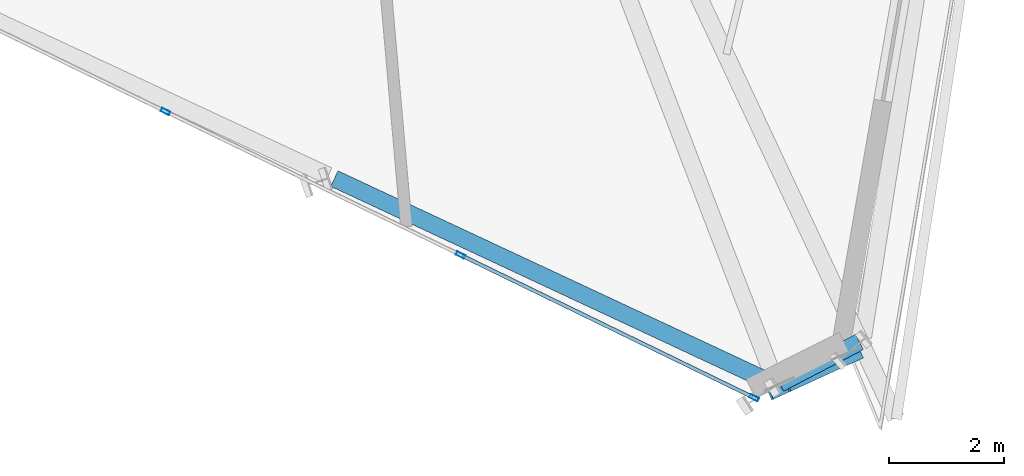
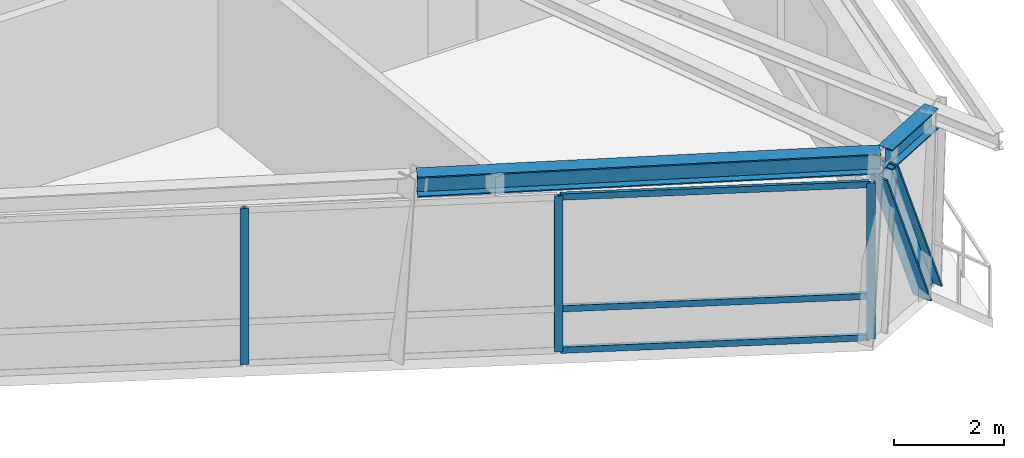
# One storey, part 4 of 22: 7 members, 2 beams, 1 element without a shape of its own.
"""IFC4 building model written with IfcOpenShell, lengths in metres."""

from ifc_helpers import new_model, si_unit, direction, frame, origin, origin_2d, place, context, subcontext, project, spatial, hollow_rectangle, i_section, extrude, source, transform, mapped, material, material_profile, profile_set, type_object, element, aggregate, save


model = new_model("IFC4")

# Units and contexts
model_context = context("Model", 3, precision=1e-05, world=origin(), true_north=direction((0.0, 1.0)))
body_context = subcontext(model_context, "Body", "Model", "MODEL_VIEW")
ifc_project = project(units=[si_unit("LENGTHUNIT", "METRE"), si_unit("AREAUNIT", "SQUARE_METRE"), si_unit("VOLUMEUNIT", "CUBIC_METRE"), si_unit("PLANEANGLEUNIT", "RADIAN"), si_unit("MASSUNIT", "GRAM", prefix="KILO")], contexts=[model_context])

# Site, building, storey
site_placement = place(None, origin())
site = spatial("IfcSite", under=ifc_project, at=site_placement, CompositionType="ELEMENT")
building_placement = place(site_placement, origin())
building = spatial("IfcBuilding", under=site, at=building_placement, Name="Olszyna Solenne Hotel", CompositionType="ELEMENT")
storey_placement = place(building_placement, frame((0.0, 0.0, 281.89990234375)))
storey = spatial("IfcBuildingStorey", under=building, at=storey_placement, Name="L75", CompositionType="ELEMENT", Elevation=281.89990234375)

# Beams
ifc_material_1 = material(Name="Steel S355J2", Category="steel")
ifc_material_profile_1 = material_profile(ifc_material_1, i_section(OverallWidth=0.300048828125, OverallDepth=0.449951171875, WebThickness=0.013916015625, FlangeThickness=0.02587890625, at=origin_2d()), Name="HEB 450", Category="load-bearing")
ifc_profile_set_1 = profile_set([ifc_material_profile_1], Name="Steel S355J2")
beam_type = type_object("IfcBeamType", Name="BM-S4", PredefinedType="BEAM", material=ifc_profile_set_1)
shared_shape_1 = source(origin(), body_context, "Body", "SweptSolid", [
    extrude(i_section(OverallWidth=0.300048828125, OverallDepth=0.449951171875, WebThickness=0.013916015625, FlangeThickness=0.02587890625, at=origin_2d()), origin(), (0.0, 0.0, 1.0), 8.45263671875),
])
beam_1_placement = place(storey_placement, frame((38.34033203125, 9.190185546875, 3.695068359375), z_axis=(0.906092358664, -0.423079942294, 0.0), x_axis=(0.423079942294, 0.906092358664, 0.0)))
element("IfcBeam", 1, at=beam_1_placement, inside=storey, type_object=beam_type, Name="Perimeter spandrel beam BM-S4 B-L75-2203", PredefinedType="BEAM", context=body_context, shape_type="MappedRepresentation", body=[
    mapped(shared_shape_1, transform((0.0, 0.0, 0.0), x_axis=(1.0, 0.0, 0.0), y_axis=(0.0, 1.0, 0.0), z_axis=(0.0, 0.0, 1.0), scale=1.0)),
])
shared_shape_2 = source(origin(), body_context, "Body", "SweptSolid", [
    extrude(i_section(OverallWidth=0.300048828125, OverallDepth=0.449951171875, WebThickness=0.013916015625, FlangeThickness=0.02587890625, at=origin_2d()), origin(), (0.0, 0.0, 1.0), 1.5673828125),
])
beam_2_placement = place(storey_placement, frame((46.10693359375, 5.6162109375, 3.695068359375), z_axis=(0.886953967322, 0.461857835109, 0.0), x_axis=(-0.461857835109, 0.886953967322, 0.0)))
element("IfcBeam", 2, at=beam_2_placement, inside=storey, type_object=beam_type, Name="Perimeter spandrel beam BM-S4 B-L75-2204", PredefinedType="BEAM", context=body_context, shape_type="MappedRepresentation", body=[
    mapped(shared_shape_2, transform((0.0, 0.0, 0.0), x_axis=(1.0, 0.0, 0.0), y_axis=(0.0, 1.0, 0.0), z_axis=(0.0, 0.0, 1.0), scale=1.0)),
])

# Member
ifc_material_2 = material(Name="Steel S460M", Category="steel")
ifc_material_profile_2 = material_profile(ifc_material_2, i_section(OverallWidth=0.40087890625, OverallDepth=0.39892578125, WebThickness=0.02197265625, FlangeThickness=0.034423828125, at=origin_2d()), Name="HD 400x314", Category="load-bearing")
ifc_profile_set_2 = profile_set([ifc_material_profile_2], Name="Steel S460M")
member_type_1 = type_object("IfcMemberType", Name="BR-T3", PredefinedType="BRACE", material=ifc_profile_set_2)
shared_shape_3 = source(origin(), body_context, "Body", "SweptSolid", [
    extrude(i_section(OverallWidth=0.40087890625, OverallDepth=0.39892578125, WebThickness=0.02197265625, FlangeThickness=0.034423828125, at=origin_2d()), origin(), (0.0, 0.0, 1.0), 3.736572265625),
])
member_1_placement = place(storey_placement, frame((47.316162109375, 6.167236328125, 0.010009765625), z_axis=(-0.337857099265, -0.154848448126, 0.928371982876), x_axis=(0.416648657074, -0.909067597354, 0.0)))
element("IfcMember", 3, at=member_1_placement, inside=storey, type_object=member_type_1, Name="Perimeter braced-tube diagonal BR-T3 BR-L75-3", PredefinedType="BRACE", context=body_context, shape_type="MappedRepresentation", body=[
    mapped(shared_shape_3, transform((0.0, 0.0, 0.0), x_axis=(1.0, 0.0, 0.0), y_axis=(0.0, 1.0, 0.0), z_axis=(0.0, 0.0, 1.0), scale=1.0)),
])

# Curtain wall, members
ifc_material_3 = material(Name="Anodised bronze aluminium", Category="aluminium")
curtain_wall_type = type_object("IfcCurtainWallType", Name="CW-SYS-7", PredefinedType="NOTDEFINED", material=ifc_material_3)
curtain_wall_placement = place(storey_placement, origin())
curtain_wall = element("IfcCurtainWall", 4, at=curtain_wall_placement, inside=storey, type_object=curtain_wall_type, Name="Unitised curtain wall CW-SYS-7 CW-L75-01", PredefinedType="NOTDEFINED")
ifc_material_profile_3 = material_profile(ifc_material_3, hollow_rectangle(XDim=0.06494140625, YDim=0.159912109375, WallThickness=0.00390625, at=origin_2d()), Name="MULL 160x65x4", Category="load-bearing")
ifc_profile_set_3 = profile_set([ifc_material_profile_3], Name="Anodised bronze aluminium")
member_type_2 = type_object("IfcMemberType", Name="CW-M3", PredefinedType="MULLION", material=ifc_profile_set_3)
shared_shape_4 = source(origin(), body_context, "Body", "SweptSolid", [
    extrude(hollow_rectangle(XDim=0.06494140625, YDim=0.159912109375, WallThickness=0.00390625, at=origin_2d()), origin(), (0.0, 0.0, 1.0), 3.462158203125),
])
member_2_placement = place(storey_placement, frame((35.395263671875, 10.35986328125, 0.0), z_axis=(0.0, 0.0, 1.0), x_axis=(0.437386807996, 0.899273473528, 0.0)))
member_2 = element("IfcMember", 5, at=member_2_placement, type_object=member_type_2, Name="Curtain-wall mullion CW-M3 CM-L75-01-02", PredefinedType="MULLION", context=body_context, shape_type="MappedRepresentation", body=[
    mapped(shared_shape_4, transform((0.0, 0.0, 0.0), x_axis=(1.0, 0.0, 0.0), y_axis=(0.0, 1.0, 0.0), z_axis=(0.0, 0.0, 1.0), scale=1.0)),
])
member_3_placement = place(storey_placement, frame((40.54248046875, 7.8564453125, 0.0), z_axis=(0.0, 0.0, 1.0), x_axis=(0.437386807996, 0.899273473528, 0.0)))
member_3 = element("IfcMember", 6, at=member_3_placement, type_object=member_type_2, Name="Curtain-wall mullion CW-M3 CM-L75-01-03", PredefinedType="MULLION", context=body_context, shape_type="MappedRepresentation", body=[
    mapped(shared_shape_4, transform((0.0, 0.0, 0.0), x_axis=(1.0, 0.0, 0.0), y_axis=(0.0, 1.0, 0.0), z_axis=(0.0, 0.0, 1.0), scale=1.0)),
])
member_4_placement = place(storey_placement, frame((45.66064453125, 5.3671875, 0.0), z_axis=(0.0, 0.0, 1.0), x_axis=(0.437386807996, 0.899273473528, 0.0)))
member_4 = element("IfcMember", 7, at=member_4_placement, type_object=member_type_2, Name="Curtain-wall mullion CW-M3 CM-L75-01-04", PredefinedType="MULLION", context=body_context, shape_type="MappedRepresentation", body=[
    mapped(shared_shape_4, transform((0.0, 0.0, 0.0), x_axis=(1.0, 0.0, 0.0), y_axis=(0.0, 1.0, 0.0), z_axis=(0.0, 0.0, 1.0), scale=1.0)),
])
ifc_material_profile_4 = material_profile(ifc_material_3, hollow_rectangle(XDim=0.06494140625, YDim=0.139892578125, WallThickness=0.00390625, at=origin_2d()), Name="TRAN 140x65x4", Category="load-bearing")
ifc_profile_set_4 = profile_set([ifc_material_profile_4], Name="Anodised bronze aluminium")
member_type_3 = type_object("IfcMemberType", Name="CW-T2", PredefinedType="USERDEFINED", material=ifc_profile_set_4)
shared_shape_5 = source(origin(), body_context, "Body", "SweptSolid", [
    extrude(hollow_rectangle(XDim=0.06494140625, YDim=0.139892578125, WallThickness=0.00390625, at=origin_2d()), origin(), (0.0, 0.0, 1.0), 5.626220703125),
])
member_5_placement = place(storey_placement, frame((40.57177734375, 7.84228515625, 0.03271484375), z_axis=(0.899268303409, -0.437397437674, 0.0), x_axis=(0.437397437674, 0.899268303409, 0.0)))
member_5 = element("IfcMember", 8, at=member_5_placement, type_object=member_type_3, Name="Curtain-wall transom CW-T2 CT-L75-01-07", ObjectType="TRANSOM", PredefinedType="USERDEFINED", context=body_context, shape_type="MappedRepresentation", body=[
    mapped(shared_shape_5, transform((0.0, 0.0, 0.0), x_axis=(1.0, 0.0, 0.0), y_axis=(0.0, 1.0, 0.0), z_axis=(0.0, 0.0, 1.0), scale=1.0)),
])
member_6_placement = place(storey_placement, frame((40.57177734375, 7.84228515625, 0.9501953125), z_axis=(0.899268303409, -0.437397437674, 0.0), x_axis=(0.437397437674, 0.899268303409, 0.0)))
member_6 = element("IfcMember", 9, at=member_6_placement, type_object=member_type_3, Name="Curtain-wall transom CW-T2 CT-L75-01-08", ObjectType="TRANSOM", PredefinedType="USERDEFINED", context=body_context, shape_type="MappedRepresentation", body=[
    mapped(shared_shape_5, transform((0.0, 0.0, 0.0), x_axis=(1.0, 0.0, 0.0), y_axis=(0.0, 1.0, 0.0), z_axis=(0.0, 0.0, 1.0), scale=1.0)),
])
member_7_placement = place(storey_placement, frame((40.57177734375, 7.84228515625, 3.4296875), z_axis=(0.899268303409, -0.437397437674, 0.0), x_axis=(0.437397437674, 0.899268303409, 0.0)))
member_7 = element("IfcMember", 10, at=member_7_placement, type_object=member_type_3, Name="Curtain-wall transom CW-T2 CT-L75-01-09", ObjectType="TRANSOM", PredefinedType="USERDEFINED", context=body_context, shape_type="MappedRepresentation", body=[
    mapped(shared_shape_5, transform((0.0, 0.0, 0.0), x_axis=(1.0, 0.0, 0.0), y_axis=(0.0, 1.0, 0.0), z_axis=(0.0, 0.0, 1.0), scale=1.0)),
])
aggregate(curtain_wall, [member_2, member_3, member_4, member_5, member_6, member_7])

save(model, "model.ifc")
